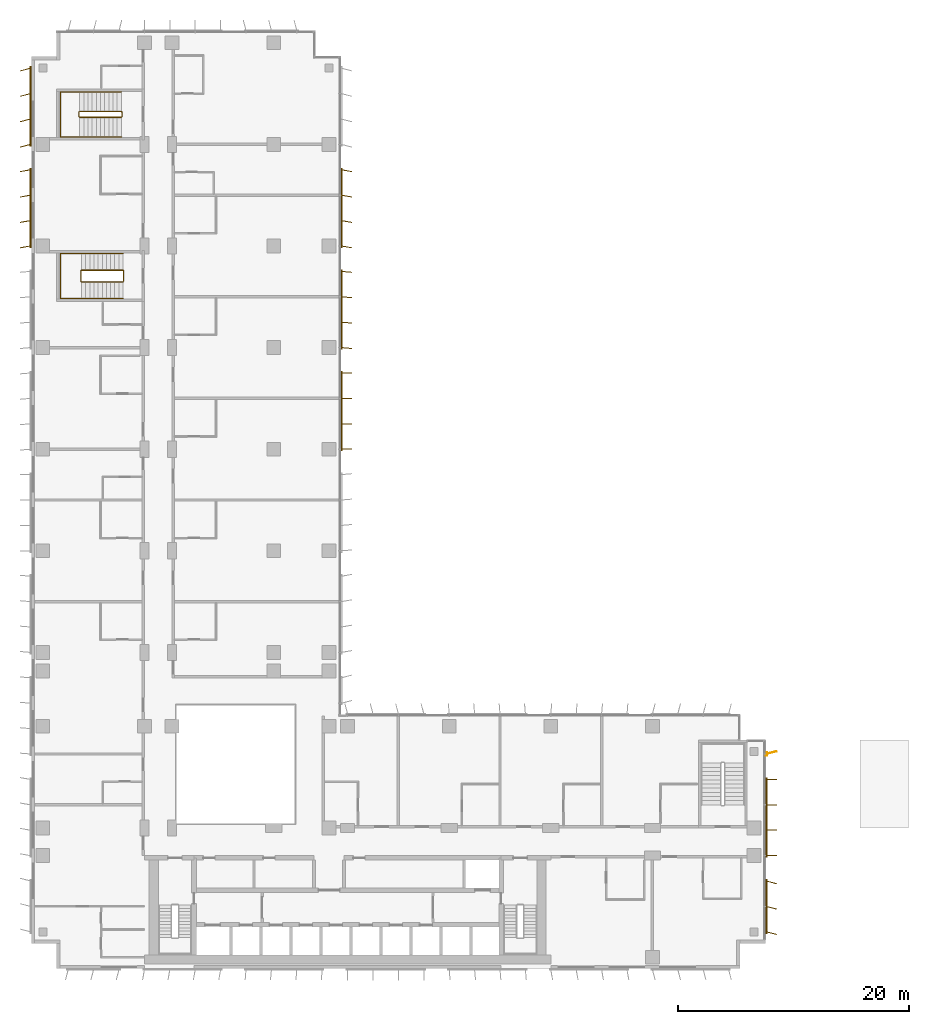
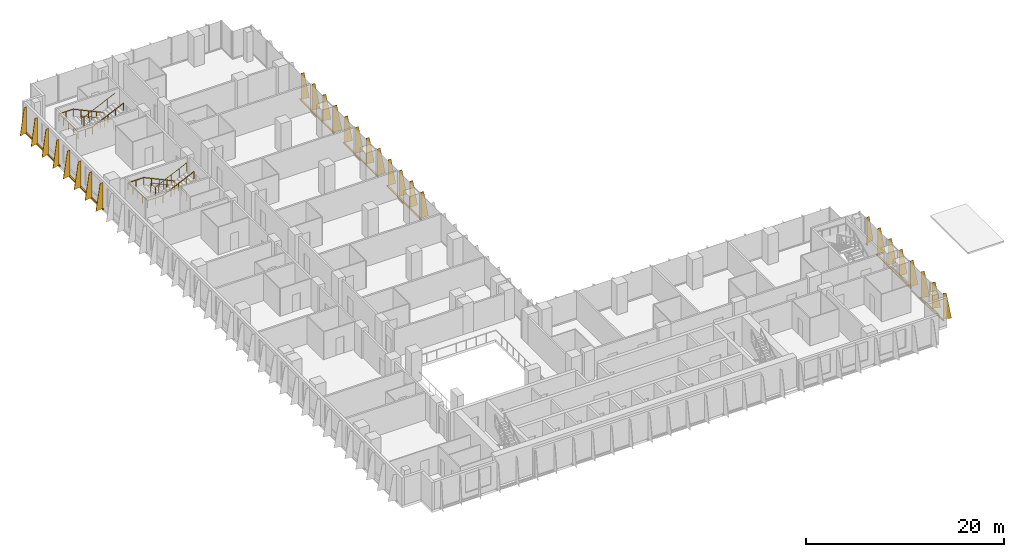
# One storey, part 21 of 22: 8 shading devices, 4 railings.
"""IFC4 building model written with IfcOpenShell, lengths in metres."""

from ifc_helpers import new_model, si_unit, direction, frame, origin, origin_2d, place, context, subcontext, project, spatial, polyline, rectangle, circle, outline, extrude, source, transform, mapped, material, layer, layer_set, type_object, element, save


model = new_model("IFC4")

# Units and contexts
model_context = context("Model", 3, precision=1e-05, world=origin(), true_north=direction((0.0, 1.0)))
body_context = subcontext(model_context, "Body", "Model", "MODEL_VIEW")
ifc_project = project(units=[si_unit("LENGTHUNIT", "METRE"), si_unit("AREAUNIT", "SQUARE_METRE"), si_unit("VOLUMEUNIT", "CUBIC_METRE"), si_unit("PLANEANGLEUNIT", "RADIAN"), si_unit("MASSUNIT", "GRAM", prefix="KILO")], contexts=[model_context])

# Site, building, storey
site_placement = place(None, origin())
site = spatial("IfcSite", under=ifc_project, at=site_placement, CompositionType="ELEMENT")
building_placement = place(site_placement, origin())
building = spatial("IfcBuilding", under=site, at=building_placement, Name="Kemantara Hotel Tower", CompositionType="ELEMENT")
storey_placement = place(building_placement, frame((0.0, 0.0, 87.10009765625)))
storey = spatial("IfcBuildingStorey", under=building, at=storey_placement, Name="L20", CompositionType="ELEMENT", Elevation=87.10009765625)

# Railings
ifc_material_1 = material(Name="Stainless steel balustrade", Category="steel")
railing_type_1 = type_object("IfcRailingType", Name="Stair guard 1100 mm", PredefinedType="GUARDRAIL", material=ifc_material_1)
railing_1_placement = place(storey_placement, frame((7.949951171875, 59.5, 3.699951171875)))
element("IfcRailing", 1, at=railing_1_placement, inside=storey, type_object=railing_type_1, Name="L20 ST4 stair guard 1", PredefinedType="GUARDRAIL", context=body_context, shape_type="SweptSolid", body=[
    extrude(circle(Radius=0.02392578125, at=origin_2d()), frame((0.0, 0.0, 1.076171875), z_axis=(-0.905994681025, 0.0, -0.423289071386), x_axis=(0.0, -1.0, 0.0)), (0.0, 0.0, 1.0), 3.973388671875),
    extrude(circle(Radius=0.02392578125, at=origin_2d()), frame((-3.599853515625, 0.0, -0.60595703125), z_axis=(-0.274243871929, 0.274243871929, -0.92172696468), x_axis=(-0.707106781187, -0.707106781187, 0.0)), (0.0, 0.0, 1.0), 0.1826171875),
    extrude(circle(Radius=0.02392578125, at=origin_2d()), frame((-3.64990234375, 0.050048828125, -0.77392578125), z_axis=(0.0, 1.0, 0.0), x_axis=(-1.0, 0.0, 0.0)), (0.0, 0.0, 1.0), 0.89990234375),
    extrude(circle(Radius=0.02392578125, at=origin_2d()), frame((-3.64990234375, 0.949951171875, -0.77392578125), z_axis=(0.707106781187, 0.707106781187, 0.0), x_axis=(-0.707106781187, 0.707106781187, 0.0)), (0.0, 0.0, 1.0), 0.07080078125),
    extrude(circle(Radius=0.02392578125, at=origin_2d()), frame((-3.599853515625, 1.0, -0.77392578125), z_axis=(0.905994681025, 0.0, -0.423289071386), x_axis=(0.0, 1.0, 0.0)), (0.0, 0.0, 1.0), 3.973388671875),
    extrude(circle(Radius=0.02392578125, at=origin_2d()), frame((0.0, 1.0, -2.4560546875), z_axis=(0.274582412415, -0.274582412415, -0.921525364591), x_axis=(0.707106781187, 0.707106781187, 0.0)), (0.0, 0.0, 1.0), 0.182373046875),
    extrude(circle(Radius=0.02392578125, at=origin_2d()), frame((0.050048828125, 0.949951171875, -2.6240234375), z_axis=(0.0, -1.0, 0.0), x_axis=(1.0, 0.0, 0.0)), (0.0, 0.0, 1.0), 0.89990234375),
    extrude(circle(Radius=0.02099609375, at=origin_2d()), origin(), (0.0, 0.0, 1.0), 1.052001953125),
    extrude(circle(Radius=0.02099609375, at=origin_2d()), frame((-0.89990234375, 0.0, -0.42041015625)), (0.0, 0.0, 1.0), 1.052001953125),
    extrude(circle(Radius=0.02099609375, at=origin_2d()), frame((-1.7998046875, 0.0, -0.8408203125)), (0.0, 0.0, 1.0), 1.052001953125),
    extrude(circle(Radius=0.02099609375, at=origin_2d()), frame((-2.699951171875, 0.0, -1.261474609375)), (0.0, 0.0, 1.0), 1.052001953125),
    extrude(circle(Radius=0.02099609375, at=origin_2d()), frame((-3.599853515625, 0.0, -1.681884765625)), (0.0, 0.0, 1.0), 1.052001953125),
    extrude(circle(Radius=0.02099609375, at=origin_2d()), frame((-3.64990234375, 0.050048828125, -1.85009765625)), (0.0, 0.0, 1.0), 1.052001953125),
    extrude(circle(Radius=0.02099609375, at=origin_2d()), frame((-3.64990234375, 0.949951171875, -1.85009765625)), (0.0, 0.0, 1.0), 1.052001953125),
    extrude(circle(Radius=0.02099609375, at=origin_2d()), frame((-3.599853515625, 1.0, -1.85009765625)), (0.0, 0.0, 1.0), 1.052001953125),
    extrude(circle(Radius=0.02099609375, at=origin_2d()), frame((-2.699951171875, 1.0, -2.2705078125)), (0.0, 0.0, 1.0), 1.052001953125),
    extrude(circle(Radius=0.02099609375, at=origin_2d()), frame((-1.7998046875, 1.0, -2.69091796875)), (0.0, 0.0, 1.0), 1.052001953125),
    extrude(circle(Radius=0.02099609375, at=origin_2d()), frame((-0.89990234375, 1.0, -3.111572265625)), (0.0, 0.0, 1.0), 1.052001953125),
    extrude(circle(Radius=0.02099609375, at=origin_2d()), frame((0.0, 1.0, -3.531982421875)), (0.0, 0.0, 1.0), 1.052001953125),
    extrude(circle(Radius=0.02099609375, at=origin_2d()), frame((0.050048828125, 0.949951171875, -3.699951171875)), (0.0, 0.0, 1.0), 1.052001953125),
    extrude(circle(Radius=0.02099609375, at=origin_2d()), frame((0.050048828125, 0.050048828125, -3.699951171875)), (0.0, 0.0, 1.0), 1.052001953125),
])
railing_2_placement = place(storey_placement, frame((7.800048828125, 73.75, 3.699951171875)))
element("IfcRailing", 2, at=railing_2_placement, inside=storey, type_object=railing_type_1, Name="L20 ST6 stair guard 1", PredefinedType="GUARDRAIL", context=body_context, shape_type="SweptSolid", body=[
    extrude(circle(Radius=0.02392578125, at=origin_2d()), frame((0.0, 0.0, 1.076171875), z_axis=(-0.906005689286, 0.0, -0.423265508849), x_axis=(0.0, -1.0, 0.0)), (0.0, 0.0, 1.0), 3.9736328125),
    extrude(circle(Radius=0.02392578125, at=origin_2d()), frame((-3.60009765625, 0.0, -0.60595703125), z_axis=(-0.274243871929, 0.274243871929, -0.92172696468), x_axis=(-0.707106781187, -0.707106781187, 0.0)), (0.0, 0.0, 1.0), 0.1826171875),
    extrude(circle(Radius=0.02392578125, at=origin_2d()), frame((-3.650146484375, 0.050048828125, -0.77392578125), z_axis=(0.0, 1.0, 0.0), x_axis=(-1.0, 0.0, 0.0)), (0.0, 0.0, 1.0), 0.39990234375),
    extrude(circle(Radius=0.02392578125, at=origin_2d()), frame((-3.650146484375, 0.449951171875, -0.77392578125), z_axis=(0.707106781187, 0.707106781187, 0.0), x_axis=(-0.707106781187, 0.707106781187, 0.0)), (0.0, 0.0, 1.0), 0.07080078125),
    extrude(circle(Radius=0.02392578125, at=origin_2d()), frame((-3.60009765625, 0.5, -0.77392578125), z_axis=(0.906005689286, 0.0, -0.423265508849), x_axis=(0.0, 1.0, 0.0)), (0.0, 0.0, 1.0), 3.9736328125),
    extrude(circle(Radius=0.02392578125, at=origin_2d()), frame((0.0, 0.5, -2.4560546875), z_axis=(0.274582412415, -0.274582412415, -0.921525364591), x_axis=(0.707106781187, 0.707106781187, 0.0)), (0.0, 0.0, 1.0), 0.182373046875),
    extrude(circle(Radius=0.02392578125, at=origin_2d()), frame((0.050048828125, 0.449951171875, -2.6240234375), z_axis=(0.0, -1.0, 0.0), x_axis=(1.0, 0.0, 0.0)), (0.0, 0.0, 1.0), 0.39990234375),
    extrude(circle(Radius=0.02099609375, at=origin_2d()), origin(), (0.0, 0.0, 1.0), 1.052001953125),
    extrude(circle(Radius=0.02099609375, at=origin_2d()), frame((-0.89990234375, 0.0, -0.42041015625)), (0.0, 0.0, 1.0), 1.052001953125),
    extrude(circle(Radius=0.02099609375, at=origin_2d()), frame((-1.800048828125, 0.0, -0.8408203125)), (0.0, 0.0, 1.0), 1.052001953125),
    extrude(circle(Radius=0.02099609375, at=origin_2d()), frame((-2.7001953125, 0.0, -1.261474609375)), (0.0, 0.0, 1.0), 1.052001953125),
    extrude(circle(Radius=0.02099609375, at=origin_2d()), frame((-3.60009765625, 0.0, -1.681884765625)), (0.0, 0.0, 1.0), 1.052001953125),
    extrude(circle(Radius=0.02099609375, at=origin_2d()), frame((-3.650146484375, 0.050048828125, -1.85009765625)), (0.0, 0.0, 1.0), 1.052001953125),
    extrude(circle(Radius=0.02099609375, at=origin_2d()), frame((-3.650146484375, 0.449951171875, -1.85009765625)), (0.0, 0.0, 1.0), 1.052001953125),
    extrude(circle(Radius=0.02099609375, at=origin_2d()), frame((-3.60009765625, 0.5, -1.85009765625)), (0.0, 0.0, 1.0), 1.052001953125),
    extrude(circle(Radius=0.02099609375, at=origin_2d()), frame((-2.7001953125, 0.5, -2.2705078125)), (0.0, 0.0, 1.0), 1.052001953125),
    extrude(circle(Radius=0.02099609375, at=origin_2d()), frame((-1.800048828125, 0.5, -2.69091796875)), (0.0, 0.0, 1.0), 1.052001953125),
    extrude(circle(Radius=0.02099609375, at=origin_2d()), frame((-0.89990234375, 0.5, -3.111572265625)), (0.0, 0.0, 1.0), 1.052001953125),
    extrude(circle(Radius=0.02099609375, at=origin_2d()), frame((0.0, 0.5, -3.531982421875)), (0.0, 0.0, 1.0), 1.052001953125),
    extrude(circle(Radius=0.02099609375, at=origin_2d()), frame((0.050048828125, 0.449951171875, -3.699951171875)), (0.0, 0.0, 1.0), 1.052001953125),
    extrude(circle(Radius=0.02099609375, at=origin_2d()), frame((0.050048828125, 0.050048828125, -3.699951171875)), (0.0, 0.0, 1.0), 1.052001953125),
])
railing_type_2 = type_object("IfcRailingType", Name="Stair handrail 900 mm", PredefinedType="HANDRAIL", material=ifc_material_1)
railing_3_placement = place(storey_placement, frame((7.949951171875, 61.949951171875, 0.16796875)))
element("IfcRailing", 3, at=railing_3_placement, inside=storey, type_object=railing_type_2, Name="L20 ST4 stair handrail 1", PredefinedType="HANDRAIL", context=body_context, shape_type="SweptSolid", body=[
    extrude(circle(Radius=0.02392578125, at=origin_2d()), frame((0.0, 0.0, 0.8759765625), z_axis=(-0.905994681025, 0.0, 0.423289071386), x_axis=(0.0, -1.0, 0.0)), (0.0, 0.0, 1.0), 3.973388671875),
    extrude(circle(Radius=0.02392578125, at=origin_2d()), frame((-3.599853515625, 0.0, 2.5576171875), z_axis=(-1.0, 0.0, 0.0), x_axis=(0.0, -1.0, 0.0)), (0.0, 0.0, 1.0), 1.830078125),
    extrude(circle(Radius=0.02392578125, at=origin_2d()), frame((-5.429931640625, 0.0, 2.5576171875), z_axis=(0.0, -0.999071085748, 0.043092523981), x_axis=(1.0, 0.0, 0.0)), (0.0, 0.0, 1.0), 3.903564453125),
    extrude(circle(Radius=0.02392578125, at=origin_2d()), frame((-5.429931640625, -3.89990234375, 2.72607421875), z_axis=(1.0, 0.0, 0.0), x_axis=(0.0, 1.0, 0.0)), (0.0, 0.0, 1.0), 1.830078125),
    extrude(circle(Radius=0.02392578125, at=origin_2d()), frame((-3.599853515625, -3.89990234375, 2.72607421875), z_axis=(0.905994681025, 0.0, 0.423289071386), x_axis=(0.0, 1.0, 0.0)), (0.0, 0.0, 1.0), 3.973388671875),
    extrude(circle(Radius=0.02099609375, at=origin_2d()), origin(), (0.0, 0.0, 1.0), 0.851806640625),
    extrude(circle(Radius=0.02099609375, at=origin_2d()), frame((-0.89990234375, 0.0, 0.42041015625)), (0.0, 0.0, 1.0), 0.851806640625),
    extrude(circle(Radius=0.02099609375, at=origin_2d()), frame((-1.7998046875, 0.0, 0.8408203125)), (0.0, 0.0, 1.0), 0.851806640625),
    extrude(circle(Radius=0.02099609375, at=origin_2d()), frame((-2.699951171875, 0.0, 1.261474609375)), (0.0, 0.0, 1.0), 0.851806640625),
    extrude(circle(Radius=0.02099609375, at=origin_2d()), frame((-3.599853515625, 0.0, 1.681884765625)), (0.0, 0.0, 1.0), 0.851806640625),
    extrude(circle(Radius=0.02099609375, at=origin_2d()), frame((-4.514892578125, 0.0, 1.681884765625)), (0.0, 0.0, 1.0), 0.851806640625),
    extrude(circle(Radius=0.02099609375, at=origin_2d()), frame((-5.429931640625, 0.0, 1.681884765625)), (0.0, 0.0, 1.0), 0.851806640625),
    extrude(circle(Radius=0.02099609375, at=origin_2d()), frame((-5.429931640625, -0.97509765625, 1.723876953125)), (0.0, 0.0, 1.0), 0.851806640625),
    extrude(circle(Radius=0.02099609375, at=origin_2d()), frame((-5.429931640625, -1.949951171875, 1.76611328125)), (0.0, 0.0, 1.0), 0.851806640625),
    extrude(circle(Radius=0.02099609375, at=origin_2d()), frame((-5.429931640625, -2.9248046875, 1.80810546875)), (0.0, 0.0, 1.0), 0.851806640625),
    extrude(circle(Radius=0.02099609375, at=origin_2d()), frame((-5.429931640625, -3.89990234375, 1.85009765625)), (0.0, 0.0, 1.0), 0.851806640625),
    extrude(circle(Radius=0.02099609375, at=origin_2d()), frame((-4.514892578125, -3.89990234375, 1.85009765625)), (0.0, 0.0, 1.0), 0.851806640625),
    extrude(circle(Radius=0.02099609375, at=origin_2d()), frame((-3.599853515625, -3.89990234375, 1.85009765625)), (0.0, 0.0, 1.0), 0.851806640625),
    extrude(circle(Radius=0.02099609375, at=origin_2d()), frame((-2.699951171875, -3.89990234375, 2.2705078125)), (0.0, 0.0, 1.0), 0.851806640625),
    extrude(circle(Radius=0.02099609375, at=origin_2d()), frame((-1.7998046875, -3.89990234375, 2.69091796875)), (0.0, 0.0, 1.0), 0.851806640625),
    extrude(circle(Radius=0.02099609375, at=origin_2d()), frame((-0.89990234375, -3.89990234375, 3.111572265625)), (0.0, 0.0, 1.0), 0.851806640625),
    extrude(circle(Radius=0.02099609375, at=origin_2d()), frame((0.0, -3.89990234375, 3.531982421875)), (0.0, 0.0, 1.0), 0.851806640625),
])
railing_4_placement = place(storey_placement, frame((7.800048828125, 75.949951171875, 0.16796875)))
element("IfcRailing", 4, at=railing_4_placement, inside=storey, type_object=railing_type_2, Name="L20 ST6 stair handrail 1", PredefinedType="HANDRAIL", context=body_context, shape_type="SweptSolid", body=[
    extrude(circle(Radius=0.02392578125, at=origin_2d()), frame((0.0, 0.0, 0.8759765625), z_axis=(-0.906005689286, 0.0, 0.423265508849), x_axis=(0.0, -1.0, 0.0)), (0.0, 0.0, 1.0), 3.9736328125),
    extrude(circle(Radius=0.02392578125, at=origin_2d()), frame((-3.60009765625, 0.0, 2.5576171875), z_axis=(-1.0, 0.0, 0.0), x_axis=(0.0, -1.0, 0.0)), (0.0, 0.0, 1.0), 1.679931640625),
    extrude(circle(Radius=0.02392578125, at=origin_2d()), frame((-5.280029296875, 0.0, 2.5576171875), z_axis=(0.0, -0.999071085748, 0.043092523981), x_axis=(1.0, 0.0, 0.0)), (0.0, 0.0, 1.0), 3.903564453125),
    extrude(circle(Radius=0.02392578125, at=origin_2d()), frame((-5.280029296875, -3.89990234375, 2.72607421875), z_axis=(1.0, 0.0, 0.0), x_axis=(0.0, 1.0, 0.0)), (0.0, 0.0, 1.0), 1.679931640625),
    extrude(circle(Radius=0.02392578125, at=origin_2d()), frame((-3.60009765625, -3.89990234375, 2.72607421875), z_axis=(0.906005689286, 0.0, 0.423265508849), x_axis=(0.0, 1.0, 0.0)), (0.0, 0.0, 1.0), 3.9736328125),
    extrude(circle(Radius=0.02099609375, at=origin_2d()), origin(), (0.0, 0.0, 1.0), 0.851806640625),
    extrude(circle(Radius=0.02099609375, at=origin_2d()), frame((-0.89990234375, 0.0, 0.42041015625)), (0.0, 0.0, 1.0), 0.851806640625),
    extrude(circle(Radius=0.02099609375, at=origin_2d()), frame((-1.800048828125, 0.0, 0.8408203125)), (0.0, 0.0, 1.0), 0.851806640625),
    extrude(circle(Radius=0.02099609375, at=origin_2d()), frame((-2.7001953125, 0.0, 1.261474609375)), (0.0, 0.0, 1.0), 0.851806640625),
    extrude(circle(Radius=0.02099609375, at=origin_2d()), frame((-3.60009765625, 0.0, 1.681884765625)), (0.0, 0.0, 1.0), 0.851806640625),
    extrude(circle(Radius=0.02099609375, at=origin_2d()), frame((-4.43994140625, 0.0, 1.681884765625)), (0.0, 0.0, 1.0), 0.851806640625),
    extrude(circle(Radius=0.02099609375, at=origin_2d()), frame((-5.280029296875, 0.0, 1.681884765625)), (0.0, 0.0, 1.0), 0.851806640625),
    extrude(circle(Radius=0.02099609375, at=origin_2d()), frame((-5.280029296875, -0.97509765625, 1.723876953125)), (0.0, 0.0, 1.0), 0.851806640625),
    extrude(circle(Radius=0.02099609375, at=origin_2d()), frame((-5.280029296875, -1.949951171875, 1.76611328125)), (0.0, 0.0, 1.0), 0.851806640625),
    extrude(circle(Radius=0.02099609375, at=origin_2d()), frame((-5.280029296875, -2.9248046875, 1.80810546875)), (0.0, 0.0, 1.0), 0.851806640625),
    extrude(circle(Radius=0.02099609375, at=origin_2d()), frame((-5.280029296875, -3.89990234375, 1.85009765625)), (0.0, 0.0, 1.0), 0.851806640625),
    extrude(circle(Radius=0.02099609375, at=origin_2d()), frame((-4.43994140625, -3.89990234375, 1.85009765625)), (0.0, 0.0, 1.0), 0.851806640625),
    extrude(circle(Radius=0.02099609375, at=origin_2d()), frame((-3.60009765625, -3.89990234375, 1.85009765625)), (0.0, 0.0, 1.0), 0.851806640625),
    extrude(circle(Radius=0.02099609375, at=origin_2d()), frame((-2.7001953125, -3.89990234375, 2.2705078125)), (0.0, 0.0, 1.0), 0.851806640625),
    extrude(circle(Radius=0.02099609375, at=origin_2d()), frame((-1.800048828125, -3.89990234375, 2.69091796875)), (0.0, 0.0, 1.0), 0.851806640625),
    extrude(circle(Radius=0.02099609375, at=origin_2d()), frame((-0.89990234375, -3.89990234375, 3.111572265625)), (0.0, 0.0, 1.0), 0.851806640625),
    extrude(circle(Radius=0.02099609375, at=origin_2d()), frame((0.0, -3.89990234375, 3.531982421875)), (0.0, 0.0, 1.0), 0.851806640625),
])

# Shading devices
ifc_material_2 = material(Name="Perforated aluminium plate 4 mm bronze anodised", Category="aluminium")
ifc_layer_1 = layer(ifc_material_2, 0.0400390625)
ifc_layer_set_1 = layer_set([ifc_layer_1], Name="Perforated aluminium plate 4 mm bronze anodised")
shading_device_type_1 = type_object("IfcShadingDeviceType", Name="SCREEN FIN CASSETTE, 3 BLADES AT -15.0 DEG, 3200 HIGH", PredefinedType="USERDEFINED", material=ifc_layer_set_1)
shared_shape_1 = source(origin(), body_context, "Body", "SweptSolid", [
    extrude(rectangle(XDim=4.699951171875, YDim=0.14990234375, at=origin_2d()), frame((2.199951171875, -0.074951171875, -0.14990234375), z_axis=(0.0, 0.0, 1.0), x_axis=(1.0, 0.0, 0.0)), (0.0, 0.0, 1.0), 0.14990234375),
    extrude(outline(polyline([(0.0, 0.0), (0.89990234375, 0.0), (0.35009765625, 3.199951171875), (0.0, 3.199951171875), (0.0, 0.0)])), frame((0.019287109375, -0.080078125, 0.0), z_axis=(-0.966437683387, 0.256901156343, 0.0), x_axis=(-0.256901156343, -0.966437683387, 0.0)), (0.0, 0.0, 1.0), 0.039794921875),
    extrude(outline(polyline([(0.0, 0.0), (0.89990234375, 0.0), (0.35009765625, 3.199951171875), (0.0, 3.199951171875), (0.0, 0.0)])), frame((2.21923828125, -0.080078125, 0.0), z_axis=(-0.966437683387, 0.256901156343, 0.0), x_axis=(-0.256901156343, -0.966437683387, 0.0)), (0.0, 0.0, 1.0), 0.039794921875),
    extrude(outline(polyline([(0.0, 0.0), (0.89990234375, 0.0), (0.35009765625, 3.199951171875), (0.0, 3.199951171875), (0.0, 0.0)])), frame((4.41943359375, -0.080078125, 0.0), z_axis=(-0.966837822169, 0.255391122837, 0.0), x_axis=(-0.255391122837, -0.966837822169, 0.0)), (0.0, 0.0, 1.0), 0.0400390625),
])
shading_device_1_placement = place(storey_placement, frame((63.60009765625, 3.199951171875, 0.099853515625), z_axis=(0.0, 0.0, 1.0), x_axis=(0.0, 1.0, 0.0)))
element("IfcShadingDevice", 5, at=shading_device_1_placement, inside=storey, type_object=shading_device_type_1, Name="SCREEN FIN CASSETTE L20 T2-R10-1", ObjectType="SCREEN FIN", PredefinedType="USERDEFINED", context=body_context, shape_type="MappedRepresentation", body=[
    mapped(shared_shape_1, transform((0.0, 0.0, 0.0))),
])
ifc_layer_2 = layer(ifc_material_2, 0.0400390625)
ifc_layer_set_2 = layer_set([ifc_layer_2], Name="Perforated aluminium plate 4 mm bronze anodised")
shading_device_type_2 = type_object("IfcShadingDeviceType", Name="SCREEN FIN CASSETTE, 4 BLADES AT -10.0 DEG, 3200 HIGH", PredefinedType="USERDEFINED", material=ifc_layer_set_2)
shared_shape_2 = source(origin(), body_context, "Body", "SweptSolid", [
    extrude(rectangle(XDim=6.89990234375, YDim=0.14990234375, at=origin_2d()), frame((3.300048828125, -0.074951171875, -0.14990234375), z_axis=(0.0, 0.0, 1.0), x_axis=(1.0, 0.0, 0.0)), (0.0, 0.0, 1.0), 0.14990234375),
    extrude(outline(polyline([(0.0, 0.0), (0.89990234375, 0.0), (0.35009765625, 3.199951171875), (0.0, 3.199951171875), (0.0, 0.0)])), frame((0.019775390625, -0.078369140625, 0.0), z_axis=(-0.985389793052, 0.170314285219, 0.0), x_axis=(-0.170314285219, -0.985389793052, 0.0)), (0.0, 0.0, 1.0), 0.0400390625),
    extrude(outline(polyline([(0.0, 0.0), (0.89990234375, 0.0), (0.35009765625, 3.199951171875), (0.0, 3.199951171875), (0.0, 0.0)])), frame((2.2197265625, -0.078369140625, 0.0), z_axis=(-0.98521175482, 0.171341174751, 0.0), x_axis=(-0.171341174751, -0.98521175482, 0.0)), (0.0, 0.0, 1.0), 0.039794921875),
    extrude(outline(polyline([(0.0, 0.0), (0.89990234375, 0.0), (0.35009765625, 3.199951171875), (0.0, 3.199951171875), (0.0, 0.0)])), frame((4.419677734375, -0.078369140625, 0.0), z_axis=(-0.98521175482, 0.171341174751, 0.0), x_axis=(-0.171341174751, -0.98521175482, 0.0)), (0.0, 0.0, 1.0), 0.039794921875),
    extrude(outline(polyline([(0.0, 0.0), (0.89990234375, 0.0), (0.35009765625, 3.199951171875), (0.0, 3.199951171875), (0.0, 0.0)])), frame((6.61962890625, -0.078369140625, 0.0), z_axis=(-0.98521175482, 0.171341174751, 0.0), x_axis=(-0.171341174751, -0.98521175482, 0.0)), (0.0, 0.0, 1.0), 0.039794921875),
])
shading_device_2_placement = place(storey_placement, frame((26.800048828125, 62.60009765625, 0.099853515625), z_axis=(0.0, 0.0, 1.0), x_axis=(0.0, 1.0, 0.0)))
element("IfcShadingDevice", 6, at=shading_device_2_placement, inside=storey, type_object=shading_device_type_2, Name="SCREEN FIN CASSETTE L20 T2-R14-6", ObjectType="SCREEN FIN", PredefinedType="USERDEFINED", context=body_context, shape_type="MappedRepresentation", body=[
    mapped(shared_shape_2, transform((0.0, 0.0, 0.0))),
])
ifc_layer_3 = layer(ifc_material_2, 0.0400390625)
ifc_layer_set_3 = layer_set([ifc_layer_3], Name="Perforated aluminium plate 4 mm bronze anodised")
shading_device_type_3 = type_object("IfcShadingDeviceType", Name="SCREEN FIN CASSETTE, 4 BLADES AT -5.0 DEG, 3200 HIGH", PredefinedType="USERDEFINED", material=ifc_layer_set_3)
shared_shape_3 = source(origin(), body_context, "Body", "SweptSolid", [
    extrude(rectangle(XDim=6.89990234375, YDim=0.14990234375, at=origin_2d()), frame((3.300048828125, -0.074951171875, -0.14990234375), z_axis=(0.0, 0.0, 1.0), x_axis=(1.0, 0.0, 0.0)), (0.0, 0.0, 1.0), 0.14990234375),
    extrude(outline(polyline([(0.0, 0.0), (0.89990234375, 0.0), (0.35009765625, 3.199951171875), (0.0, 3.199951171875), (0.0, 0.0)])), frame((0.02001953125, -0.07666015625, 0.0), z_axis=(-0.996376129781, 0.085056498884, 0.0), x_axis=(-0.085056498884, -0.996376129781, 0.0)), (0.0, 0.0, 1.0), 0.040283203125),
    extrude(outline(polyline([(0.0, 0.0), (0.89990234375, 0.0), (0.35009765625, 3.199951171875), (0.0, 3.199951171875), (0.0, 0.0)])), frame((2.219970703125, -0.07666015625, 0.0), z_axis=(-0.996331773833, 0.085574508182, 0.0), x_axis=(-0.085574508182, -0.996331773833, 0.0)), (0.0, 0.0, 1.0), 0.0400390625),
    extrude(outline(polyline([(0.0, 0.0), (0.89990234375, 0.0), (0.35009765625, 3.199951171875), (0.0, 3.199951171875), (0.0, 0.0)])), frame((4.419921875, -0.07666015625, 0.0), z_axis=(-0.996331773833, 0.085574508182, 0.0), x_axis=(-0.085574508182, -0.996331773833, 0.0)), (0.0, 0.0, 1.0), 0.0400390625),
    extrude(outline(polyline([(0.0, 0.0), (0.89990234375, 0.0), (0.35009765625, 3.199951171875), (0.0, 3.199951171875), (0.0, 0.0)])), frame((6.619873046875, -0.07666015625, 0.0), z_axis=(-0.996331773833, 0.085574508182, 0.0), x_axis=(-0.085574508182, -0.996331773833, 0.0)), (0.0, 0.0, 1.0), 0.0400390625),
])
shading_device_3_placement = place(storey_placement, frame((26.800048828125, 53.800048828125, 0.099853515625), z_axis=(0.0, 0.0, 1.0), x_axis=(0.0, 1.0, 0.0)))
element("IfcShadingDevice", 7, at=shading_device_3_placement, inside=storey, type_object=shading_device_type_3, Name="SCREEN FIN CASSETTE L20 T2-R14-5", ObjectType="SCREEN FIN", PredefinedType="USERDEFINED", context=body_context, shape_type="MappedRepresentation", body=[
    mapped(shared_shape_3, transform((0.0, 0.0, 0.0))),
])
ifc_layer_4 = layer(ifc_material_2, 0.0400390625)
ifc_layer_set_4 = layer_set([ifc_layer_4], Name="Perforated aluminium plate 4 mm bronze anodised")
shading_device_type_4 = type_object("IfcShadingDeviceType", Name="SCREEN FIN CASSETTE, 4 BLADES AT +0.0 DEG, 3200 HIGH", PredefinedType="USERDEFINED", material=ifc_layer_set_4)
shared_shape_4 = source(origin(), body_context, "Body", "SweptSolid", [
    extrude(rectangle(XDim=6.89990234375, YDim=0.14990234375, at=origin_2d()), frame((3.300048828125, -0.074951171875, -0.14990234375), z_axis=(0.0, 0.0, 1.0), x_axis=(1.0, 0.0, 0.0)), (0.0, 0.0, 1.0), 0.14990234375),
    extrude(outline(polyline([(0.0, 0.0), (0.89990234375, 0.0), (0.35009765625, 3.199951171875), (0.0, 3.199951171875), (0.0, 0.0)])), frame((0.02001953125, -0.074951171875, 0.0), z_axis=(-1.0, 0.0, 0.0), x_axis=(0.0, -1.0, 0.0)), (0.0, 0.0, 1.0), 0.0400390625),
    extrude(outline(polyline([(0.0, 0.0), (0.89990234375, 0.0), (0.35009765625, 3.199951171875), (0.0, 3.199951171875), (0.0, 0.0)])), frame((2.219970703125, -0.074951171875, 0.0), z_axis=(-1.0, 0.0, 0.0), x_axis=(0.0, -1.0, 0.0)), (0.0, 0.0, 1.0), 0.0400390625),
    extrude(outline(polyline([(0.0, 0.0), (0.89990234375, 0.0), (0.35009765625, 3.199951171875), (0.0, 3.199951171875), (0.0, 0.0)])), frame((4.419921875, -0.074951171875, 0.0), z_axis=(-1.0, 0.0, 0.0), x_axis=(0.0, -1.0, 0.0)), (0.0, 0.0, 1.0), 0.0400390625),
    extrude(outline(polyline([(0.0, 0.0), (0.89990234375, 0.0), (0.35009765625, 3.199951171875), (0.0, 3.199951171875), (0.0, 0.0)])), frame((6.6201171875, -0.074951171875, 0.0), z_axis=(-1.0, 0.0, 0.0), x_axis=(0.0, -1.0, 0.0)), (0.0, 0.0, 1.0), 0.0400390625),
])
for number, where, z_axis, x_axis, name in (
    (8, (63.60009765625, 9.800048828125, 0.099853515625), (0.0, 0.0, 1.0), (0.0, 1.0, 0.0), "SCREEN FIN CASSETTE L20 T2-R10-2"),
    (9, (26.800048828125, 45.0, 0.099853515625), (0.0, 0.0, 1.0), (0.0, 1.0, 0.0), "SCREEN FIN CASSETTE L20 T2-R14-4"),
):
    element("IfcShadingDevice", number, at=place(storey_placement, frame(where, z_axis=z_axis, x_axis=x_axis)), inside=storey, type_object=shading_device_type_4, Name=name, ObjectType="SCREEN FIN", PredefinedType="USERDEFINED", context=body_context, shape_type="MappedRepresentation", body=[
        mapped(shared_shape_4, transform((0.0, 0.0, 0.0))),
    ])
ifc_layer_5 = layer(ifc_material_2, 0.0400390625)
ifc_layer_set_5 = layer_set([ifc_layer_5], Name="Perforated aluminium plate 4 mm bronze anodised")
shading_device_type_5 = type_object("IfcShadingDeviceType", Name="SCREEN FIN CASSETTE, 4 BLADES AT +10.0 DEG, 3200 HIGH", PredefinedType="USERDEFINED", material=ifc_layer_set_5)
shared_shape_5 = source(origin(), body_context, "Body", "SweptSolid", [
    extrude(rectangle(XDim=6.89990234375, YDim=0.14990234375, at=origin_2d()), frame((3.300048828125, -0.074951171875, -0.14990234375), z_axis=(0.0, 0.0, 1.0), x_axis=(1.0, 0.0, 0.0)), (0.0, 0.0, 1.0), 0.14990234375),
    extrude(outline(polyline([(0.0, 0.0), (0.89990234375, 0.0), (0.35009765625, 3.199951171875), (0.0, 3.199951171875), (0.0, 0.0)])), frame((0.019775390625, -0.071533203125, 0.0), z_axis=(-0.985389793052, -0.170314285219, 0.0), x_axis=(0.170314285219, -0.985389793052, 0.0)), (0.0, 0.0, 1.0), 0.0400390625),
    extrude(outline(polyline([(0.0, 0.0), (0.89990234375, 0.0), (0.35009765625, 3.199951171875), (0.0, 3.199951171875), (0.0, 0.0)])), frame((2.2197265625, -0.071533203125, 0.0), z_axis=(-0.98521175482, -0.171341174751, 0.0), x_axis=(0.171341174751, -0.98521175482, 0.0)), (0.0, 0.0, 1.0), 0.039794921875),
    extrude(outline(polyline([(0.0, 0.0), (0.89990234375, 0.0), (0.35009765625, 3.199951171875), (0.0, 3.199951171875), (0.0, 0.0)])), frame((4.419677734375, -0.071533203125, 0.0), z_axis=(-0.98521175482, -0.171341174751, 0.0), x_axis=(0.171341174751, -0.98521175482, 0.0)), (0.0, 0.0, 1.0), 0.039794921875),
    extrude(outline(polyline([(0.0, 0.0), (0.89990234375, 0.0), (0.35009765625, 3.199951171875), (0.0, 3.199951171875), (0.0, 0.0)])), frame((6.61962890625, -0.071533203125, 0.0), z_axis=(-0.98521175482, -0.171341174751, 0.0), x_axis=(0.171341174751, -0.98521175482, 0.0)), (0.0, 0.0, 1.0), 0.039794921875),
])
shading_device_4_placement = place(storey_placement, frame((0.0, 69.199951171875, 0.099853515625), z_axis=(0.0, 0.0, 1.0), x_axis=(0.0, -1.0, 0.0)))
element("IfcShadingDevice", 10, at=shading_device_4_placement, inside=storey, type_object=shading_device_type_5, Name="SCREEN FIN CASSETTE L20 T2-R04-2", ObjectType="SCREEN FIN", PredefinedType="USERDEFINED", context=body_context, shape_type="MappedRepresentation", body=[
    mapped(shared_shape_5, transform((0.0, 0.0, 0.0))),
])
ifc_layer_6 = layer(ifc_material_2, 0.0400390625)
ifc_layer_set_6 = layer_set([ifc_layer_6], Name="Perforated aluminium plate 4 mm bronze anodised")
shading_device_type_6 = type_object("IfcShadingDeviceType", Name="SCREEN FIN CASSETTE, 4 BLADES AT +15.0 DEG, 3200 HIGH", PredefinedType="USERDEFINED", material=ifc_layer_set_6)
shared_shape_6 = source(origin(), body_context, "Body", "SweptSolid", [
    extrude(rectangle(XDim=6.89990234375, YDim=0.14990234375, at=origin_2d()), frame((3.300048828125, -0.074951171875, -0.14990234375), z_axis=(0.0, 0.0, 1.0), x_axis=(1.0, 0.0, 0.0)), (0.0, 0.0, 1.0), 0.14990234375),
    extrude(outline(polyline([(0.0, 0.0), (0.89990234375, 0.0), (0.35009765625, 3.199951171875), (0.0, 3.199951171875), (0.0, 0.0)])), frame((0.019287109375, -0.06982421875, 0.0), z_axis=(-0.966437683387, -0.256901156343, 0.0), x_axis=(0.256901156343, -0.966437683387, 0.0)), (0.0, 0.0, 1.0), 0.039794921875),
    extrude(outline(polyline([(0.0, 0.0), (0.89990234375, 0.0), (0.35009765625, 3.199951171875), (0.0, 3.199951171875), (0.0, 0.0)])), frame((2.21923828125, -0.06982421875, 0.0), z_axis=(-0.966437683387, -0.256901156343, 0.0), x_axis=(0.256901156343, -0.966437683387, 0.0)), (0.0, 0.0, 1.0), 0.039794921875),
    extrude(outline(polyline([(0.0, 0.0), (0.89990234375, 0.0), (0.35009765625, 3.199951171875), (0.0, 3.199951171875), (0.0, 0.0)])), frame((4.41943359375, -0.06982421875, 0.0), z_axis=(-0.966837822169, -0.255391122837, 0.0), x_axis=(0.255391122837, -0.966837822169, 0.0)), (0.0, 0.0, 1.0), 0.0400390625),
    extrude(outline(polyline([(0.0, 0.0), (0.89990234375, 0.0), (0.35009765625, 3.199951171875), (0.0, 3.199951171875), (0.0, 0.0)])), frame((6.619384765625, -0.06982421875, 0.0), z_axis=(-0.966837822169, -0.255391122837, 0.0), x_axis=(0.255391122837, -0.966837822169, 0.0)), (0.0, 0.0, 1.0), 0.0400390625),
])
shading_device_5_placement = place(storey_placement, frame((0.0, 78.0, 0.099853515625), z_axis=(0.0, 0.0, 1.0), x_axis=(0.0, -1.0, 0.0)))
element("IfcShadingDevice", 11, at=shading_device_5_placement, inside=storey, type_object=shading_device_type_6, Name="SCREEN FIN CASSETTE L20 T2-R04-1", ObjectType="SCREEN FIN", PredefinedType="USERDEFINED", context=body_context, shape_type="MappedRepresentation", body=[
    mapped(shared_shape_6, transform((0.0, 0.0, 0.0))),
])
ifc_layer_7 = layer(ifc_material_2, 0.0400390625)
ifc_layer_set_7 = layer_set([ifc_layer_7], Name="Perforated aluminium plate 4 mm bronze anodised")
shading_device_type_7 = type_object("IfcShadingDeviceType", Name="SCREEN FIN CASSETTE, 1 BLADE AT +15.0 DEG, 3200 HIGH", PredefinedType="USERDEFINED", material=ifc_layer_set_7)
shared_shape_7 = source(origin(), body_context, "Body", "SweptSolid", [
    extrude(rectangle(XDim=0.300048828125, YDim=0.14990234375, at=origin_2d()), frame((0.0, -0.074951171875, -0.14990234375), z_axis=(0.0, 0.0, 1.0), x_axis=(1.0, 0.0, 0.0)), (0.0, 0.0, 1.0), 0.14990234375),
    extrude(outline(polyline([(0.0, 0.0), (0.89990234375, 0.0), (0.35009765625, 3.199951171875), (0.0, 3.199951171875), (0.0, 0.0)])), frame((0.019287109375, -0.06982421875, 0.0), z_axis=(-0.966437683387, -0.256901156343, 0.0), x_axis=(0.256901156343, -0.966437683387, 0.0)), (0.0, 0.0, 1.0), 0.039794921875),
])
shading_device_6_placement = place(storey_placement, frame((63.60009765625, 18.60009765625, 0.099853515625), z_axis=(0.0, 0.0, 1.0), x_axis=(0.0, 1.0, 0.0)))
element("IfcShadingDevice", 12, at=shading_device_6_placement, inside=storey, type_object=shading_device_type_7, Name="SCREEN FIN CASSETTE L20 T2-R10-3", ObjectType="SCREEN FIN", PredefinedType="USERDEFINED", context=body_context, shape_type="MappedRepresentation", body=[
    mapped(shared_shape_7, transform((0.0, 0.0, 0.0))),
])

save(model, "model.ifc")
